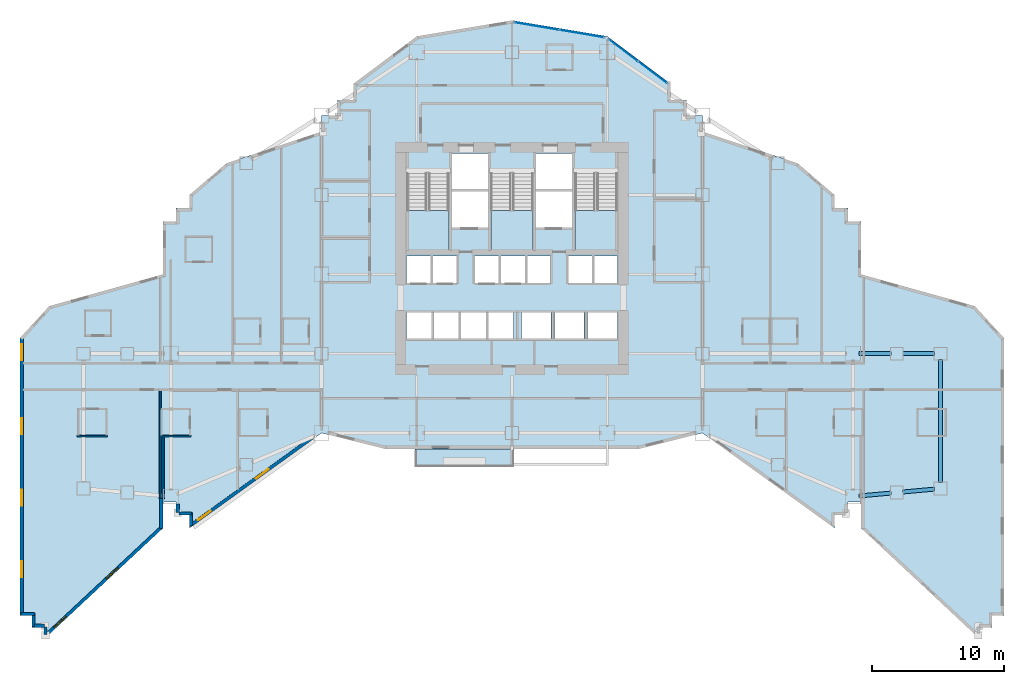
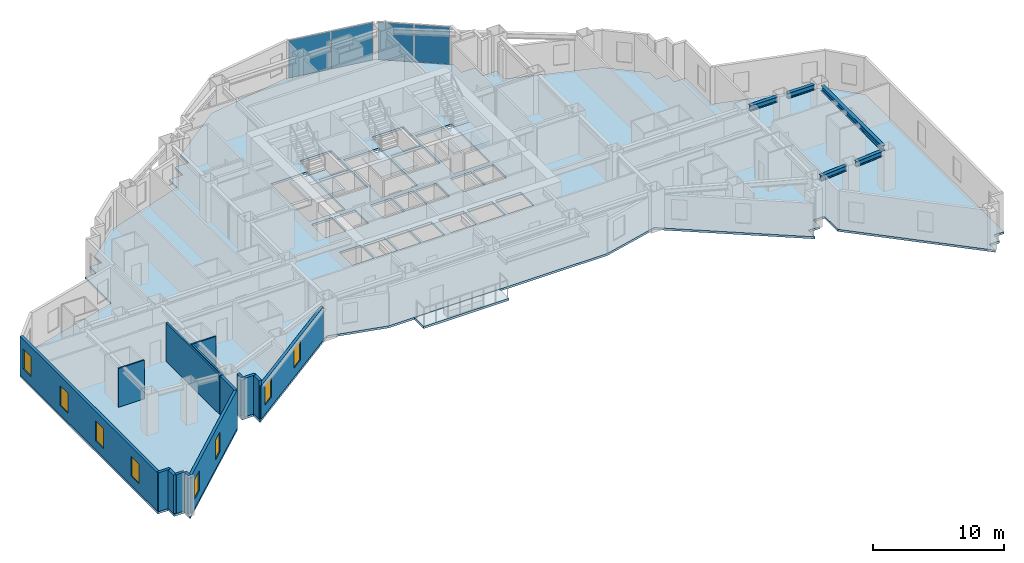
# One storey, part 6 of 15: 15 walls, 8 windows, 5 beams, 5 slabs, 4 plates, 8 openings, 5 elements without a shape of their own.
"""IFC4 building model written with IfcOpenShell, lengths in metres."""

import ifcopenshell
import ifcopenshell.guid

model = None  # the IFC model being written
_history = None  # IfcOwnerHistory: only IFC2X3 demands one
_inside = {}  # id of a spatial element -> (the spatial element, [elements in it])
_under = {}  # id of a project, library or spatial element -> (it, [spatial elements below it])
_declared = {}  # id of a project -> (the project, [libraries it declares])
_typed = {}  # id of a type object -> (the type object, [elements of that type])
_made_of = {}  # id of a material, layer set ... -> (it, [elements and type objects made of it])


def new_model(schema):
    """Start an empty IFC model of exactly this schema.

    Asked for "IFC4X3", IfcOpenShell would pick the latest addendum, in which some entities
    have other attributes; the version numbers below select the first issue.
    IFC2X3 requires an IfcOwnerHistory on every rooted entity: one is made here for all.
    """
    global model, _history
    if schema == "IFC4X3":
        model = ifcopenshell.file(schema_version=(4, 3, 0, 0))
    else:
        model = ifcopenshell.file(schema=schema)
    _inside.clear()
    _under.clear()
    _declared.clear()
    _typed.clear()
    _made_of.clear()
    _history = None
    if model.schema == "IFC2X3":
        org = make("IfcOrganization", Name="unknown")
        user = make(
            "IfcPersonAndOrganization",
            ThePerson=make("IfcPerson", FamilyName="unknown"),
            TheOrganization=org,
        )
        app = make(
            "IfcApplication",
            ApplicationDeveloper=org,
            Version="unknown",
            ApplicationFullName="unknown",
            ApplicationIdentifier="unknown",
        )
        _history = make(
            "IfcOwnerHistory",
            OwningUser=user,
            OwningApplication=app,
            ChangeAction="ADDED",
            CreationDate=0,
        )
    return model


def make(cls, **values):
    """One entity of the class cls with the attributes given. An attribute that is None is left unset."""
    return model.create_entity(
        cls, **{name: value for name, value in values.items() if value is not None}
    )


def rooted(cls, **values):
    """An entity with a GlobalId (a new one), such as an element, a storey or a relation."""
    return make(cls, GlobalId=ifcopenshell.guid.new(), OwnerHistory=_history, **values)


def si_unit(unit_type, name, prefix=None):
    """IfcSIUnit, for example si_unit("LENGTHUNIT", "METRE", prefix="MILLI")."""
    return make("IfcSIUnit", UnitType=unit_type, Prefix=prefix, Name=name)


def assignment(units):
    """IfcUnitAssignment: the units of a project."""
    return None if units is None else make("IfcUnitAssignment", Units=units)


def point(xyz):
    """IfcCartesianPoint."""
    return None if xyz is None else make("IfcCartesianPoint", Coordinates=xyz)


def direction(xyz):
    """IfcDirection."""
    return None if xyz is None else make("IfcDirection", DirectionRatios=xyz)


def frame(location, z_axis=None, x_axis=None):
    """IfcAxis2Placement3D, a coordinate frame: its origin and axes. An axis left out is left unset."""
    return make(
        "IfcAxis2Placement3D",
        Location=point(location),
        Axis=direction(z_axis),
        RefDirection=direction(x_axis),
    )


def frame_2d(location, x_axis=None):
    """IfcAxis2Placement2D, a coordinate frame in the plane: its origin and x axis."""
    return make(
        "IfcAxis2Placement2D", Location=point(location), RefDirection=direction(x_axis)
    )


def origin():
    """The frame at (0, 0, 0) with its axes left unset."""
    return frame((0.0, 0.0, 0.0))


def origin_2d():
    """The frame at (0, 0) in the plane with its x axis left unset."""
    return frame_2d((0.0, 0.0))


def place(relative_to, where):
    """IfcLocalPlacement: puts the frame where relative to a parent placement (None: the world)."""
    return make(
        "IfcLocalPlacement", PlacementRelTo=relative_to, RelativePlacement=where
    )


def context(
    kind, dimensions, precision=None, world=None, true_north=None, identifier=None
):
    """IfcGeometricRepresentationContext, for example the 3D "Model" context."""
    return make(
        "IfcGeometricRepresentationContext",
        ContextIdentifier=identifier,
        ContextType=kind,
        CoordinateSpaceDimension=dimensions,
        Precision=precision,
        WorldCoordinateSystem=world,
        TrueNorth=true_north,
    )


def subcontext(parent, identifier, kind, view, scale=None):
    """IfcGeometricRepresentationSubContext, for example "Body" below "Model"."""
    return make(
        "IfcGeometricRepresentationSubContext",
        ContextIdentifier=identifier,
        ContextType=kind,
        ParentContext=parent,
        TargetScale=scale,
        TargetView=view,
    )


def project(units=None, contexts=None):
    """IfcProject with its units and contexts."""
    return rooted(
        "IfcProject",
        Name="project",
        RepresentationContexts=contexts,
        UnitsInContext=assignment(units),
    )


def spatial(cls, under=None, at=None, **own):
    """A site, building, storey or space (cls), placed at a placement, below another one or the project."""
    s = rooted(cls, ObjectPlacement=at, **own)
    if under is not None:
        _under.setdefault(under.id(), (under, []))[1].append(s)
    return s


def polyline(points):
    """IfcPolyline through the points."""
    return make("IfcPolyline", Points=[point(p) for p in points])


def profile(cls, at=None, kind="AREA", **sizes):
    """A parametric profile (cls). Its sizes go by their IFC names, for example OverallWidth=200.0."""
    return make(cls, ProfileType=kind, Position=at, **sizes)


def rectangle(**sizes):
    """IfcRectangleProfileDef."""
    return profile("IfcRectangleProfileDef", **sizes)


def i_section(**sizes):
    """IfcIShapeProfileDef."""
    return profile("IfcIShapeProfileDef", **sizes)


def outline(outer, holes=None, kind="AREA"):
    """IfcArbitraryClosedProfileDef: a profile drawn as a closed curve; with holes, ...WithVoids."""
    if holes is None:
        return make("IfcArbitraryClosedProfileDef", ProfileType=kind, OuterCurve=outer)
    return make(
        "IfcArbitraryProfileDefWithVoids",
        ProfileType=kind,
        OuterCurve=outer,
        InnerCurves=holes,
    )


def extrude(swept, where, along, depth):
    """IfcExtrudedAreaSolid: the profile swept, set in the frame where, extruded along a direction by depth."""
    return make(
        "IfcExtrudedAreaSolid",
        SweptArea=swept,
        Position=where,
        ExtrudedDirection=direction(along),
        Depth=depth,
    )


def shape(context_of_items, identifier, shape_type, items):
    """IfcShapeRepresentation: the items that make up one representation, for example the "Body"."""
    return make(
        "IfcShapeRepresentation",
        ContextOfItems=context_of_items,
        RepresentationIdentifier=identifier,
        RepresentationType=shape_type,
        Items=items,
    )


def material(Name=None, Category=None):
    """IfcMaterial."""
    return make("IfcMaterial", Name=Name, Category=Category)


def layer(
    of_material, thickness, ventilated=None, Name=None, Category=None, Priority=None
):
    """IfcMaterialLayer: one layer of a wall or slab, of a material (None: an air gap)."""
    return make(
        "IfcMaterialLayer",
        Material=of_material,
        LayerThickness=thickness,
        IsVentilated=ventilated,
        Name=Name,
        Category=Category,
        Priority=Priority,
    )


def layer_set(layers, Name=None):
    """IfcMaterialLayerSet."""
    return make("IfcMaterialLayerSet", MaterialLayers=layers, LayerSetName=Name)


def material_profile(
    of_material, cross_section, Name=None, Category=None, Priority=None
):
    """IfcMaterialProfile: a cross section and its material."""
    return make(
        "IfcMaterialProfile",
        Name=Name,
        Material=of_material,
        Profile=cross_section,
        Priority=Priority,
        Category=Category,
    )


def profile_set(profiles, Name=None, composite=None):
    """IfcMaterialProfileSet."""
    return make(
        "IfcMaterialProfileSet",
        Name=Name,
        MaterialProfiles=profiles,
        CompositeProfile=composite,
    )


def made_of(thing, what):
    """Note that an element or type object is made of a material, layer set ...; save() writes the relation."""
    if what is not None:
        _made_of.setdefault(what.id(), (what, []))[1].append(thing)
    return thing


def type_object(cls, material=None, **own):
    """A type object (cls), such as IfcWallType, which elements share."""
    return made_of(rooted(cls, **own), material)


def element(
    cls,
    number,
    at=None,
    inside=None,
    cuts=None,
    type_object=None,
    material=None,
    context=None,
    identifier="Body",
    shape_type=None,
    held_by="IfcProductDefinitionShape",
    body=None,
    shapes=None,
    **own,
):
    """One element of the class cls, such as IfcWall. Its Tag is "e" and its number.

    at: its placement. inside: the storey or other place that contains it. cuts: it is an
    opening in that element (IfcRelVoidsElement). A single representation is given by context,
    identifier, shape_type and body (its items); several are given by shapes. held_by: the class
    of the entity that holds the representations. save() writes the other relations.
    """
    e = rooted(cls, Tag="e%d" % number, ObjectPlacement=at, **own)
    if body is not None:
        shapes = [shape(context, identifier, shape_type, body)]
    if shapes is not None:
        e.Representation = make(held_by, Representations=shapes)
    if inside is not None:
        _inside.setdefault(inside.id(), (inside, []))[1].append(e)
    if cuts is not None:
        rooted(
            "IfcRelVoidsElement", RelatingBuildingElement=cuts, RelatedOpeningElement=e
        )
    if type_object is not None:
        _typed.setdefault(type_object.id(), (type_object, []))[1].append(e)
    return made_of(e, material)


def fill(opening, filler):
    """IfcRelFillsElement: the door or window that sits in an opening."""
    return rooted(
        "IfcRelFillsElement",
        RelatingOpeningElement=opening,
        RelatedBuildingElement=filler,
    )


def aggregate(whole, parts):
    """IfcRelAggregates: a whole, such as a stair, and the parts it consists of."""
    return rooted("IfcRelAggregates", RelatingObject=whole, RelatedObjects=parts)


def save(model, path):
    """Write the relations noted so far, then the file.

    IfcRelAggregates (storeys below a building ...), IfcRelContainedInSpatialStructure (elements
    in a storey), IfcRelDefinesByType, IfcRelAssociatesMaterial and IfcRelDeclares: one each for
    every whole, place, type object, material and project.
    """
    for whole, parts in _under.values():
        aggregate(whole, parts)
    for where, things in _inside.values():
        rooted(
            "IfcRelContainedInSpatialStructure",
            RelatedElements=things,
            RelatingStructure=where,
        )
    for kind, things in _typed.values():
        rooted("IfcRelDefinesByType", RelatedObjects=things, RelatingType=kind)
    for what, things in _made_of.values():
        rooted("IfcRelAssociatesMaterial", RelatedObjects=things, RelatingMaterial=what)
    for by, libraries in _declared.values():
        rooted("IfcRelDeclares", RelatingContext=by, RelatedDefinitions=libraries)
    model.write(path)


model = new_model("IFC4")

# Units and contexts
model_context = context("Model", 3, precision=1e-05, world=origin(), true_north=direction((0.0, 1.0)))
body_context = subcontext(model_context, "Body", "Model", "MODEL_VIEW")
ifc_project = project(units=[si_unit("LENGTHUNIT", "METRE"), si_unit("AREAUNIT", "SQUARE_METRE"), si_unit("VOLUMEUNIT", "CUBIC_METRE"), si_unit("PLANEANGLEUNIT", "RADIAN"), si_unit("MASSUNIT", "GRAM", prefix="KILO")], contexts=[model_context])

# Site, building, storey
site_placement = place(None, origin())
site = spatial("IfcSite", under=ifc_project, at=site_placement, CompositionType="ELEMENT")
building_placement = place(site_placement, origin())
building = spatial("IfcBuilding", under=site, at=building_placement, Name="Haolan Belvedere Tower", CompositionType="ELEMENT")
storey_placement = place(building_placement, frame((0.0, 0.0, 66.60009765625)))
storey = spatial("IfcBuildingStorey", under=building, at=storey_placement, Name="L16", CompositionType="ELEMENT", Elevation=66.60009765625)

# Beams
ifc_material_1 = material(Name="Steel Q355B", Category="steel")
ifc_material_profile = material_profile(ifc_material_1, i_section(OverallWidth=0.300048828125, OverallDepth=0.488037109375, WebThickness=0.010986328125, FlangeThickness=0.01806640625, FilletRadius=0.02587890625, at=origin_2d()), Name="Steel Q355B")
ifc_profile_set = profile_set([ifc_material_profile], Name="Steel Q355B")
beam_type = type_object("IfcBeamType", Name="BM-HM488x300x11x18", PredefinedType="SPANDREL", material=ifc_profile_set)
beam_placement = place(storey_placement, frame((70.800048828125, 17.85009765625, 3.35595703125), z_axis=(0.0, 1.0, 0.0), x_axis=(-1.0, 0.0, 0.0)))
element("IfcBeam", 1, at=beam_placement, inside=storey, type_object=beam_type, Name="L16 spandrel girder MC-T5-SE-MC-T5-NE", PredefinedType="SPANDREL", context=body_context, shape_type="SweptSolid", body=[
    extrude(i_section(OverallWidth=0.300048828125, OverallDepth=0.488037109375, WebThickness=0.010986328125, FlangeThickness=0.01806640625, FilletRadius=0.02587890625, at=origin_2d()), origin(), (0.0, 0.0, 1.0), 9.2998046875),
])
for number, where, z_axis, x_axis, name in (
    (2, (64.648193359375, 16.8408203125, 3.35595703125), (0.995893206468, 0.090535746043, 0.0), (-0.090535746043, 0.995893206468, 0.0), "L16 spandrel girder MC-T4-SE-TC-T5-M1"),
    (3, (67.9482421875, 17.140625, 3.35595703125), (0.995884080761, 0.090636072764, 0.0), (-0.090636072764, 0.995884080761, 0.0), "L16 spandrel girder TC-T5-M1-MC-T5-SE"),
):
    element("IfcBeam", number, at=place(storey_placement, frame(where, z_axis=z_axis, x_axis=x_axis)), inside=storey, type_object=beam_type, Name=name, PredefinedType="SPANDREL", context=body_context, shape_type="SweptSolid", body=[
        extrude(i_section(OverallWidth=0.300048828125, OverallDepth=0.488037109375, WebThickness=0.010986328125, FlangeThickness=0.01806640625, FilletRadius=0.02587890625, at=origin_2d()), origin(), (0.0, 0.0, 1.0), 2.41357421875),
    ])
for number, where, z_axis, x_axis, name in (
    (4, (64.64990234375, 27.60009765625, 3.35595703125), (1.0, 0.0, 0.0), (0.0, 1.0, 0.0), "L16 spandrel girder MC-T4-ME-TC-T5-M2"),
    (5, (67.949951171875, 27.60009765625, 3.35595703125), (1.0, 0.0, 0.0), (0.0, 1.0, 0.0), "L16 spandrel girder TC-T5-M2-MC-T5-NE"),
):
    element("IfcBeam", number, at=place(storey_placement, frame(where, z_axis=z_axis, x_axis=x_axis)), inside=storey, type_object=beam_type, Name=name, PredefinedType="SPANDREL", context=body_context, shape_type="SweptSolid", body=[
        extrude(i_section(OverallWidth=0.300048828125, OverallDepth=0.488037109375, WebThickness=0.010986328125, FlangeThickness=0.01806640625, FilletRadius=0.02587890625, at=origin_2d()), origin(), (0.0, 0.0, 1.0), 2.400146484375),
    ])

# Curtain wall, plates
ifc_material_2 = material(Name="Anodised champagne-silver aluminium 6063-T6 and Low-E glass", Category="aluminium")
ifc_layer_1 = layer(ifc_material_2, 0.1650390625, Name="Anodised champagne-silver aluminium 6063-T6 and Low-E glass")
ifc_layer_set_1 = layer_set([ifc_layer_1], Name="Anodised champagne-silver aluminium 6063-T6 and Low-E glass")
curtain_wall_type = type_object("IfcCurtainWallType", Name="CW-SYS-02", PredefinedType="NOTDEFINED", material=ifc_layer_set_1)
curtain_wall_1_placement = place(storey_placement, origin())
curtain_wall_1 = element("IfcCurtainWall", 6, at=curtain_wall_1_placement, inside=storey, type_object=curtain_wall_type, Name="L16 CW-SYS-02 ribbon curtain wall 41.1", PredefinedType="NOTDEFINED")
ifc_material_3 = material(Name="Double silver Low-E laminated insulating glass", Category="glass")
ifc_layer_2 = layer(ifc_material_3, 0.02587890625, Name="Double silver Low-E laminated insulating glass")
ifc_layer_set_2 = layer_set([ifc_layer_2], Name="Double silver Low-E laminated insulating glass")
plate_type = type_object("IfcPlateType", Name="CW-SYS-02-PNL", PredefinedType="CURTAIN_PANEL", material=ifc_layer_set_2)
plate_1_placement = place(storey_placement, frame((49.02978515625, 48.877685546875, 0.0546875), z_axis=(0.0, 0.0, 1.0), x_axis=(-0.800004262313, 0.599994316874, 0.0)))
plate_1 = element("IfcPlate", 7, at=plate_1_placement, type_object=plate_type, Name="CW-02 panel 1.1", PredefinedType="CURTAIN_PANEL", context=body_context, shape_type="SweptSolid", body=[
    extrude(rectangle(XDim=2.725341796875, YDim=0.02587890625, at=origin_2d()), origin(), (0.0, 0.0, 1.0), 3.489990234375),
])
plate_2_placement = place(storey_placement, frame((46.801513671875, 50.548828125, 0.0546875), z_axis=(0.0, 0.0, 1.0), x_axis=(-0.800004262313, 0.599994316874, 0.0)))
plate_2 = element("IfcPlate", 8, at=plate_2_placement, type_object=plate_type, Name="CW-02 panel 2.1", PredefinedType="CURTAIN_PANEL", context=body_context, shape_type="SweptSolid", body=[
    extrude(rectangle(XDim=2.725341796875, YDim=0.02587890625, at=origin_2d()), origin(), (0.0, 0.0, 1.0), 3.489990234375),
])
aggregate(curtain_wall_1, [plate_1, plate_2])

curtain_wall_2_placement = place(storey_placement, origin())
curtain_wall_2 = element("IfcCurtainWall", 9, at=curtain_wall_2_placement, inside=storey, type_object=curtain_wall_type, Name="L16 CW-SYS-02 ribbon curtain wall 42.1", PredefinedType="NOTDEFINED")
plate_3_placement = place(storey_placement, frame((43.6796875, 51.79833984375, 0.0546875), z_axis=(0.0, 0.0, 1.0), x_axis=(-0.9863931483, 0.16440364043, 0.0)))
plate_3 = element("IfcPlate", 10, at=plate_3_placement, type_object=plate_type, Name="CW-02 panel 1.1", PredefinedType="CURTAIN_PANEL", context=body_context, shape_type="SweptSolid", body=[
    extrude(rectangle(XDim=3.39501953125, YDim=0.02587890625, at=origin_2d()), origin(), (0.0, 0.0, 1.0), 3.489990234375),
])
plate_4_placement = place(storey_placement, frame((40.271728515625, 52.366455078125, 0.0546875), z_axis=(0.0, 0.0, 1.0), x_axis=(-0.9863931483, 0.16440364043, 0.0)))
plate_4 = element("IfcPlate", 11, at=plate_4_placement, type_object=plate_type, Name="CW-02 panel 2.1", PredefinedType="CURTAIN_PANEL", context=body_context, shape_type="SweptSolid", body=[
    extrude(rectangle(XDim=3.39501953125, YDim=0.02587890625, at=origin_2d()), origin(), (0.0, 0.0, 1.0), 3.489990234375),
])
aggregate(curtain_wall_2, [plate_3, plate_4])

# Slabs
ifc_material_4 = material(Name="Concrete C40/50", Category="concrete")
ifc_layer_3 = layer(ifc_material_4, 0.2099609375, Name="Concrete C40/50")
ifc_layer_set_3 = layer_set([ifc_layer_3], Name="Concrete C40/50")
slab_type_1 = type_object("IfcSlabType", Name="SL-BAL-210", PredefinedType="FLOOR", material=ifc_layer_set_3)
slab_1_placement = place(storey_placement, frame((0.0, 0.0, -0.22998046875)))
element("IfcSlab", 12, at=slab_1_placement, inside=storey, type_object=slab_type_1, Name="L16 structural tree-planter balcony slab BAL-L16-S1", PredefinedType="FLOOR", context=body_context, shape_type="SweptSolid", body=[
    extrude(outline(polyline([(31.050048828125, 19.02001953125), (38.550048828125, 19.02001953125), (38.550048828125, 20.39990234375), (31.050048828125, 20.39990234375), (31.050048828125, 19.02001953125)])), origin(), (0.0, 0.0, 1.0), 0.2099609375),
])
ifc_layer_4 = layer(ifc_material_4, 0.199951171875, Name="Concrete C40/50")
ifc_layer_set_4 = layer_set([ifc_layer_4], Name="Concrete C40/50")
slab_type_2 = type_object("IfcSlabType", Name="SL-FLR-200", PredefinedType="FLOOR", material=ifc_layer_set_4)
slab_2_placement = place(storey_placement, frame((0.0, 0.0, -0.2001953125)))
element("IfcSlab", 13, at=slab_2_placement, inside=storey, type_object=slab_type_2, Name="L16 structural floor slab", PredefinedType="FLOOR", context=body_context, shape_type="SweptSolid", body=[
    extrude(outline(polyline([(1.199951171875, 28.800048828125), (1.199951171875, 8.39990234375), (1.199951171875, 7.800048828125), (2.10009765625, 7.800048828125), (2.10009765625, 6.89990234375), (3.0, 6.89990234375), (3.0, 6.0), (12.0, 14.39990234375), (12.0, 16.39990234375), (13.0, 16.39990234375), (13.0, 15.39990234375), (14.0, 15.39990234375), (14.0, 14.39990234375), (24.0, 21.60009765625), (28.800048828125, 20.39990234375), (48.0, 20.39990234375), (52.800048828125, 21.60009765625), (62.800048828125, 14.39990234375), (62.800048828125, 15.39990234375), (63.800048828125, 15.39990234375), (63.800048828125, 16.39990234375), (64.800048828125, 16.39990234375), (64.800048828125, 14.39990234375), (73.800048828125, 6.0), (73.800048828125, 6.89990234375), (74.699951171875, 6.89990234375), (74.699951171875, 7.800048828125), (75.60009765625, 7.800048828125), (75.60009765625, 28.800048828125), (73.39990234375, 31.199951171875), (64.800048828125, 33.60009765625), (64.800048828125, 37.60009765625), (63.800048828125, 37.60009765625), (63.800048828125, 38.60009765625), (62.800048828125, 38.60009765625), (62.800048828125, 39.60009765625), (60.0, 42.0), (52.800048828125, 44.39990234375), (52.800048828125, 45.60009765625), (51.60009765625, 45.60009765625), (51.60009765625, 46.800048828125), (50.39990234375, 46.800048828125), (50.39990234375, 48.0), (45.60009765625, 51.60009765625), (38.39990234375, 52.800048828125), (31.199951171875, 51.60009765625), (26.39990234375, 48.0), (26.39990234375, 46.800048828125), (25.199951171875, 46.800048828125), (25.199951171875, 45.60009765625), (24.0, 45.60009765625), (24.0, 44.39990234375), (16.800048828125, 42.0), (14.0, 39.60009765625), (14.0, 38.60009765625), (13.0, 38.60009765625), (13.0, 37.60009765625), (12.0, 37.60009765625), (12.0, 33.60009765625), (3.39990234375, 31.199951171875), (1.199951171875, 28.800048828125)]), holes=[polyline([(30.449951171875, 41.22998046875), (30.449951171875, 35.449951171875), (33.6298828125, 35.449951171875), (33.6298828125, 41.22998046875), (30.449951171875, 41.22998046875)]), polyline([(36.81005859375, 41.22998046875), (36.81005859375, 35.449951171875), (39.989990234375, 35.449951171875), (39.989990234375, 41.22998046875), (36.81005859375, 41.22998046875)]), polyline([(43.169921875, 41.22998046875), (43.169921875, 35.449951171875), (46.35009765625, 35.449951171875), (46.35009765625, 41.22998046875), (43.169921875, 41.22998046875)]), polyline([(33.830078125, 40.050048828125), (36.610107421875, 40.050048828125), (36.610107421875, 42.75), (33.830078125, 42.75), (33.830078125, 40.050048828125)]), polyline([(33.830078125, 37.14990234375), (36.610107421875, 37.14990234375), (36.610107421875, 39.85009765625), (33.830078125, 39.85009765625), (33.830078125, 37.14990234375)]), polyline([(40.18994140625, 40.050048828125), (42.969970703125, 40.050048828125), (42.969970703125, 42.75), (40.18994140625, 42.75), (40.18994140625, 40.050048828125)]), polyline([(40.18994140625, 37.14990234375), (42.969970703125, 37.14990234375), (42.969970703125, 39.85009765625), (40.18994140625, 39.85009765625), (40.18994140625, 37.14990234375)]), polyline([(30.419921875, 32.949951171875), (32.27001953125, 32.949951171875), (32.27001953125, 35.0), (30.419921875, 35.0), (30.419921875, 32.949951171875)]), polyline([(32.409912109375, 32.949951171875), (34.260009765625, 32.949951171875), (34.260009765625, 35.0), (32.409912109375, 35.0), (32.409912109375, 32.949951171875)]), polyline([(35.56005859375, 32.949951171875), (37.409912109375, 32.949951171875), (37.409912109375, 35.0), (35.56005859375, 35.0), (35.56005859375, 32.949951171875)]), polyline([(37.550048828125, 32.949951171875), (39.39990234375, 32.949951171875), (39.39990234375, 35.0), (37.550048828125, 35.0), (37.550048828125, 32.949951171875)]), polyline([(39.5400390625, 32.949951171875), (41.389892578125, 32.949951171875), (41.389892578125, 35.0), (39.5400390625, 35.0), (39.5400390625, 32.949951171875)]), polyline([(42.6201171875, 32.949951171875), (44.469970703125, 32.949951171875), (44.469970703125, 35.0), (42.6201171875, 35.0), (42.6201171875, 32.949951171875)]), polyline([(44.580078125, 32.949951171875), (46.3798828125, 32.949951171875), (46.3798828125, 35.0), (44.580078125, 35.0), (44.580078125, 32.949951171875)]), polyline([(30.419921875, 28.75), (32.320068359375, 28.75), (32.320068359375, 30.75), (30.419921875, 30.75), (30.419921875, 28.75)]), polyline([(32.47998046875, 28.75), (34.3798828125, 28.75), (34.3798828125, 30.75), (32.47998046875, 30.75), (32.47998046875, 28.75)]), polyline([(34.5400390625, 28.75), (36.43994140625, 28.75), (36.43994140625, 30.75), (34.5400390625, 30.75), (34.5400390625, 28.75)]), polyline([(36.60009765625, 28.75), (38.5, 28.75), (38.5, 30.75), (36.60009765625, 30.75), (36.60009765625, 28.75)]), polyline([(39.10009765625, 28.75), (41.340087890625, 28.75), (41.340087890625, 30.75), (39.10009765625, 30.75), (39.10009765625, 28.75)]), polyline([(41.610107421875, 28.75), (43.85009765625, 28.75), (43.85009765625, 30.75), (41.610107421875, 30.75), (41.610107421875, 28.75)]), polyline([(44.1201171875, 28.75), (46.360107421875, 28.75), (46.360107421875, 30.75), (44.1201171875, 30.75), (44.1201171875, 28.75)])]), origin(), (0.0, 0.0, 1.0), 0.2001953125),
])

# Stair, slab
stair_type = type_object("IfcStairType", Name="STR-DL-22R-173", PredefinedType="HALF_TURN_STAIR", material=ifc_material_4)
stair_1_placement = place(storey_placement, origin())
stair_1 = element("IfcStair", 14, at=stair_1_placement, inside=storey, type_object=stair_type, Name="L16 Smokeproof Core Exit Stair ST1", PredefinedType="HALF_TURN_STAIR")
ifc_layer_5 = layer(ifc_material_4, 0.199951171875, Name="Concrete C40/50")
ifc_layer_set_5 = layer_set([ifc_layer_5], Name="Concrete C40/50")
slab_type_3 = type_object("IfcSlabType", Name="SL-LAND-200", PredefinedType="LANDING", material=ifc_layer_set_5)
slab_3_placement = place(storey_placement, frame((0.0, 0.0, 1.699951171875)))
slab_3 = element("IfcSlab", 15, at=slab_3_placement, type_object=slab_type_3, Name="ST1 landing 1", PredefinedType="LANDING", context=body_context, shape_type="SweptSolid", body=[
    extrude(outline(polyline([(30.449951171875, 38.429931640625), (30.449951171875, 35.449951171875), (33.6298828125, 35.449951171875), (33.6298828125, 38.429931640625), (30.449951171875, 38.429931640625)])), origin(), (0.0, 0.0, 1.0), 0.199951171875),
])
aggregate(stair_1, [slab_3])

stair_2_placement = place(storey_placement, origin())
stair_2 = element("IfcStair", 16, at=stair_2_placement, inside=storey, type_object=stair_type, Name="L16 Smokeproof Core Exit Stair ST3", PredefinedType="HALF_TURN_STAIR")
slab_4_placement = place(storey_placement, frame((0.0, 0.0, 1.699951171875)))
slab_4 = element("IfcSlab", 17, at=slab_4_placement, type_object=slab_type_3, Name="ST3 landing 1", PredefinedType="LANDING", context=body_context, shape_type="SweptSolid", body=[
    extrude(outline(polyline([(36.81005859375, 38.429931640625), (36.81005859375, 35.449951171875), (39.989990234375, 35.449951171875), (39.989990234375, 38.429931640625), (36.81005859375, 38.429931640625)])), origin(), (0.0, 0.0, 1.0), 0.199951171875),
])
aggregate(stair_2, [slab_4])

stair_3_placement = place(storey_placement, origin())
stair_3 = element("IfcStair", 18, at=stair_3_placement, inside=storey, type_object=stair_type, Name="L16 Smokeproof Core Exit Stair ST2", PredefinedType="HALF_TURN_STAIR")
slab_5_placement = place(storey_placement, frame((0.0, 0.0, 1.699951171875)))
slab_5 = element("IfcSlab", 19, at=slab_5_placement, type_object=slab_type_3, Name="ST2 landing 1", PredefinedType="LANDING", context=body_context, shape_type="SweptSolid", body=[
    extrude(outline(polyline([(43.169921875, 38.429931640625), (43.169921875, 35.449951171875), (46.35009765625, 35.449951171875), (46.35009765625, 38.429931640625), (43.169921875, 38.429931640625)])), origin(), (0.0, 0.0, 1.0), 0.199951171875),
])
aggregate(stair_3, [slab_5])

# Walls
ifc_material_5 = material(Name="Precast concrete C40/50", Category="concrete")
ifc_layer_6 = layer(ifc_material_5, 0.239990234375, Name="Precast concrete C40/50")
ifc_layer_set_6 = layer_set([ifc_layer_6], Name="Precast concrete C40/50")
wall_type_1 = type_object("IfcWallType", Name="WL-EXT-240", PredefinedType="SOLIDWALL", material=ifc_layer_set_6)
for number, where, z_axis, x_axis, name in (
    (20, (1.264892578125, 7.919921875, 0.0), (0.0, 0.0, 1.0), (1.0, 0.0, 0.0), "L16 pale-metal exterior spandrel wall 1.1"),
    (21, (2.219970703125, 7.97509765625, 0.0), (0.0, 0.0, 1.0), (0.0, -1.0, 0.0), "L16 pale-metal exterior spandrel wall 2.1"),
):
    element("IfcWall", number, at=place(storey_placement, frame(where, z_axis=z_axis, x_axis=x_axis)), inside=storey, type_object=wall_type_1, Name=name, PredefinedType="SOLIDWALL", context=body_context, shape_type="SweptSolid", body=[
        extrude(rectangle(XDim=1.010009765625, YDim=0.239990234375, at=frame_2d((0.5048828125, 0.0))), origin(), (0.0, 0.0, 1.0), 3.599853515625),
    ])
wall_1_placement = place(storey_placement, frame((2.300048828125, 7.02001953125, 0.0), z_axis=(0.0, 0.0, 1.0), x_axis=(1.0, 0.0, 0.0)))
element("IfcWall", 22, at=wall_1_placement, inside=storey, type_object=wall_type_1, Name="L16 pale-metal exterior spandrel wall 3.1", PredefinedType="SOLIDWALL", context=body_context, shape_type="SweptSolid", body=[
    extrude(rectangle(XDim=0.73486328125, YDim=0.239990234375, at=frame_2d((0.367431640625, 0.0))), origin(), (0.0, 0.0, 1.0), 3.599853515625),
])
wall_2_placement = place(storey_placement, frame((3.1201171875, 6.93505859375, 0.0), z_axis=(0.0, 0.0, 1.0), x_axis=(0.0, -1.0, 0.0)))
element("IfcWall", 23, at=wall_2_placement, inside=storey, type_object=wall_type_1, Name="L16 pale-metal exterior spandrel wall 4.1", PredefinedType="SOLIDWALL", context=body_context, shape_type="SweptSolid", body=[
    extrude(rectangle(XDim=0.573974609375, YDim=0.239990234375, at=frame_2d((0.287109375, 0.0))), origin(), (0.0, 0.0, 1.0), 3.599853515625),
])

# Wall, openings, windows
wall_3_placement = place(storey_placement, frame((3.269775390625, 6.416015625, 0.0), z_axis=(0.0, 0.0, 1.0), x_axis=(0.731064187858, 0.682308693505, 0.0)))
wall_3 = element("IfcWall", 24, at=wall_3_placement, inside=storey, type_object=wall_type_1, Name="L16 pale-metal exterior spandrel wall 5.1", PredefinedType="SOLIDWALL", context=body_context, shape_type="SweptSolid", body=[
    extrude(rectangle(XDim=11.83251953125, YDim=0.239990234375, at=frame_2d((5.916259765625, 0.0))), origin(), (0.0, 0.0, 1.0), 3.599853515625),
])
opening_1_placement = place(wall_3_placement, frame((0.699951171875, 0.0, 0.85009765625)))
opening_1 = element("IfcOpeningElement", 25, at=opening_1_placement, cuts=wall_3, Name="Opening W-01", PredefinedType="OPENING", context=body_context, shape_type="SweptSolid", body=[
    extrude(rectangle(XDim=1.199951171875, YDim=1.85009765625, at=frame_2d((0.60009765625, 0.925048828125))), frame((0.0, 0.1298828125, 0.0), z_axis=(0.0, -1.0, 0.0), x_axis=(1.0, 0.0, 0.0)), (0.0, 0.0, 1.0), 0.260009765625),
])
opening_2_placement = place(wall_3_placement, frame((6.10009765625, 0.0, 0.85009765625)))
opening_2 = element("IfcOpeningElement", 26, at=opening_2_placement, cuts=wall_3, Name="Opening W-01", PredefinedType="OPENING", context=body_context, shape_type="SweptSolid", body=[
    extrude(rectangle(XDim=1.199951171875, YDim=1.85009765625, at=frame_2d((0.60009765625, 0.925048828125))), frame((0.0, 0.1298828125, 0.0), z_axis=(0.0, -1.0, 0.0), x_axis=(1.0, 0.0, 0.0)), (0.0, 0.0, 1.0), 0.260009765625),
])
ifc_material_6 = material(Name="Anodised aluminium 6063-T6 and Low-E glass", Category="aluminium")
window_type = type_object("IfcWindowType", Name="WN-DECO-Z1", PartitioningType="SINGLE_PANEL", PredefinedType="WINDOW", material=ifc_material_6)
window_1_placement = place(opening_1_placement, origin())
window_1 = element("IfcWindow", 27, at=window_1_placement, inside=storey, type_object=window_type, Name="L16 Art Deco chevron window 1", OverallHeight=1.85009765625, OverallWidth=1.199951171875, PartitioningType="SINGLE_PANEL", PredefinedType="WINDOW", context=body_context, shape_type="SweptSolid", body=[
    extrude(rectangle(XDim=1.199951171875, YDim=1.85009765625, at=frame_2d((0.60009765625, 0.925048828125))), frame((0.0, 0.030029296875, 0.0), z_axis=(0.0, -1.0, 0.0), x_axis=(1.0, 0.0, 0.0)), (0.0, 0.0, 1.0), 0.06005859375),
])
fill(opening_1, window_1)
window_2_placement = place(opening_2_placement, origin())
window_2 = element("IfcWindow", 28, at=window_2_placement, inside=storey, type_object=window_type, Name="L16 Art Deco chevron window 2", OverallHeight=1.85009765625, OverallWidth=1.199951171875, PartitioningType="SINGLE_PANEL", PredefinedType="WINDOW", context=body_context, shape_type="SweptSolid", body=[
    extrude(rectangle(XDim=1.199951171875, YDim=1.85009765625, at=frame_2d((0.60009765625, 0.925048828125))), frame((0.0, 0.030029296875, 0.0), z_axis=(0.0, -1.0, 0.0), x_axis=(1.0, 0.0, 0.0)), (0.0, 0.0, 1.0), 0.06005859375),
])
fill(opening_2, window_2)

# Walls
wall_4_placement = place(storey_placement, frame((11.8798828125, 14.397216796875, 0.0), z_axis=(0.0, 0.0, 1.0), x_axis=(0.0, 1.0, 0.0)))
element("IfcWall", 29, at=wall_4_placement, inside=storey, type_object=wall_type_1, Name="L16 pale-metal exterior spandrel wall 6.1", PredefinedType="SOLIDWALL", context=body_context, shape_type="SweptSolid", body=[
    extrude(rectangle(XDim=2.24267578125, YDim=0.239990234375, at=frame_2d((1.121337890625, 0.0))), origin(), (0.0, 0.0, 1.0), 3.599853515625),
])
wall_5_placement = place(storey_placement, frame((13.1201171875, 16.23291015625, 0.0), z_axis=(0.0, 0.0, 1.0), x_axis=(0.0, -1.0, 0.0)))
element("IfcWall", 30, at=wall_5_placement, inside=storey, type_object=wall_type_1, Name="L16 pale-metal exterior spandrel wall 8.1", PredefinedType="SOLIDWALL", context=body_context, shape_type="SweptSolid", body=[
    extrude(rectangle(XDim=0.6279296875, YDim=0.239990234375, at=frame_2d((0.31396484375, 0.0))), origin(), (0.0, 0.0, 1.0), 3.599853515625),
])
wall_6_placement = place(storey_placement, frame((13.205078125, 15.52001953125, 0.0), z_axis=(0.0, 0.0, 1.0), x_axis=(1.0, 0.0, 0.0)))
element("IfcWall", 31, at=wall_6_placement, inside=storey, type_object=wall_type_1, Name="L16 pale-metal exterior spandrel wall 9.1", PredefinedType="SOLIDWALL", context=body_context, shape_type="SweptSolid", body=[
    extrude(rectangle(XDim=0.969970703125, YDim=0.239990234375, at=frame_2d((0.48486328125, 0.0))), origin(), (0.0, 0.0, 1.0), 3.599853515625),
])
wall_7_placement = place(storey_placement, frame((14.1201171875, 15.574951171875, 0.0), z_axis=(0.0, 0.0, 1.0), x_axis=(0.0, -1.0, 0.0)))
element("IfcWall", 32, at=wall_7_placement, inside=storey, type_object=wall_type_1, Name="L16 pale-metal exterior spandrel wall 10.1", PredefinedType="SOLIDWALL", context=body_context, shape_type="SweptSolid", body=[
    extrude(rectangle(XDim=0.99560546875, YDim=0.239990234375, at=frame_2d((0.497802734375, 0.0))), origin(), (0.0, 0.0, 1.0), 3.599853515625),
])

# Wall, openings, windows
wall_8_placement = place(storey_placement, frame((14.075439453125, 14.602294921875, 0.0), z_axis=(0.0, 0.0, 1.0), x_axis=(0.811543176492, 0.58429245476, 0.0)))
wall_8 = element("IfcWall", 33, at=wall_8_placement, inside=storey, type_object=wall_type_1, Name="L16 pale-metal exterior spandrel wall 11.1", PredefinedType="SOLIDWALL", context=body_context, shape_type="SweptSolid", body=[
    extrude(rectangle(XDim=11.53076171875, YDim=0.239990234375, at=frame_2d((5.765380859375, 0.0))), origin(), (0.0, 0.0, 1.0), 3.096923828125),
])
opening_3_placement = place(wall_8_placement, frame((0.699951171875, 0.0, 0.85009765625)))
opening_3 = element("IfcOpeningElement", 34, at=opening_3_placement, cuts=wall_8, Name="Opening W-01", PredefinedType="OPENING", context=body_context, shape_type="SweptSolid", body=[
    extrude(rectangle(XDim=1.199951171875, YDim=1.85009765625, at=frame_2d((0.60009765625, 0.925048828125))), frame((0.0, 0.1298828125, 0.0), z_axis=(0.0, -1.0, 0.0), x_axis=(1.0, 0.0, 0.0)), (0.0, 0.0, 1.0), 0.260009765625),
])
opening_4_placement = place(wall_8_placement, frame((6.10009765625, 0.0, 0.85009765625)))
opening_4 = element("IfcOpeningElement", 35, at=opening_4_placement, cuts=wall_8, Name="Opening W-01", PredefinedType="OPENING", context=body_context, shape_type="SweptSolid", body=[
    extrude(rectangle(XDim=1.199951171875, YDim=1.85009765625, at=frame_2d((0.60009765625, 0.925048828125))), frame((0.0, 0.1298828125, 0.0), z_axis=(0.0, -1.0, 0.0), x_axis=(1.0, 0.0, 0.0)), (0.0, 0.0, 1.0), 0.260009765625),
])
window_3_placement = place(opening_3_placement, origin())
window_3 = element("IfcWindow", 36, at=window_3_placement, inside=storey, type_object=window_type, Name="L16 Art Deco chevron window 1", OverallHeight=1.85009765625, OverallWidth=1.199951171875, PartitioningType="SINGLE_PANEL", PredefinedType="WINDOW", context=body_context, shape_type="SweptSolid", body=[
    extrude(rectangle(XDim=1.199951171875, YDim=1.85009765625, at=frame_2d((0.60009765625, 0.925048828125))), frame((0.0, 0.030029296875, 0.0), z_axis=(0.0, -1.0, 0.0), x_axis=(1.0, 0.0, 0.0)), (0.0, 0.0, 1.0), 0.06005859375),
])
fill(opening_3, window_3)
window_4_placement = place(opening_4_placement, origin())
window_4 = element("IfcWindow", 37, at=window_4_placement, inside=storey, type_object=window_type, Name="L16 Art Deco chevron window 2", OverallHeight=1.85009765625, OverallWidth=1.199951171875, PartitioningType="SINGLE_PANEL", PredefinedType="WINDOW", context=body_context, shape_type="SweptSolid", body=[
    extrude(rectangle(XDim=1.199951171875, YDim=1.85009765625, at=frame_2d((0.60009765625, 0.925048828125))), frame((0.0, 0.030029296875, 0.0), z_axis=(0.0, -1.0, 0.0), x_axis=(1.0, 0.0, 0.0)), (0.0, 0.0, 1.0), 0.06005859375),
])
fill(opening_4, window_4)

wall_9_placement = place(storey_placement, frame((1.320068359375, 28.808349609375, 0.0), z_axis=(0.0, 0.0, 1.0), x_axis=(0.0, -1.0, 0.0)))
wall_9 = element("IfcWall", 38, at=wall_9_placement, inside=storey, type_object=wall_type_1, Name="L16 pale-metal exterior spandrel wall 59.1", PredefinedType="SOLIDWALL", context=body_context, shape_type="SweptSolid", body=[
    extrude(rectangle(XDim=20.943359375, YDim=0.239990234375, at=frame_2d((10.4716796875, 0.0))), origin(), (0.0, 0.0, 1.0), 3.599853515625),
])
opening_5_placement = place(wall_9_placement, frame((0.493408203125, 0.0, 0.85009765625)))
opening_5 = element("IfcOpeningElement", 39, at=opening_5_placement, cuts=wall_9, Name="Opening W-01", PredefinedType="OPENING", context=body_context, shape_type="SweptSolid", body=[
    extrude(rectangle(XDim=1.199951171875, YDim=1.85009765625, at=frame_2d((0.60009765625, 0.925048828125))), frame((0.0, 0.1298828125, 0.0), z_axis=(0.0, -1.0, 0.0), x_axis=(1.0, 0.0, 0.0)), (0.0, 0.0, 1.0), 0.260009765625),
])
opening_6_placement = place(wall_9_placement, frame((6.10009765625, 0.0, 0.85009765625)))
opening_6 = element("IfcOpeningElement", 40, at=opening_6_placement, cuts=wall_9, Name="Opening W-01", PredefinedType="OPENING", context=body_context, shape_type="SweptSolid", body=[
    extrude(rectangle(XDim=1.199951171875, YDim=1.85009765625, at=frame_2d((0.60009765625, 0.925048828125))), frame((0.0, 0.1298828125, 0.0), z_axis=(0.0, -1.0, 0.0), x_axis=(1.0, 0.0, 0.0)), (0.0, 0.0, 1.0), 0.260009765625),
])
opening_7_placement = place(wall_9_placement, frame((11.5, 0.0, 0.85009765625)))
opening_7 = element("IfcOpeningElement", 41, at=opening_7_placement, cuts=wall_9, Name="Opening W-01", PredefinedType="OPENING", context=body_context, shape_type="SweptSolid", body=[
    extrude(rectangle(XDim=1.199951171875, YDim=1.85009765625, at=frame_2d((0.60009765625, 0.925048828125))), frame((0.0, 0.1298828125, 0.0), z_axis=(0.0, -1.0, 0.0), x_axis=(1.0, 0.0, 0.0)), (0.0, 0.0, 1.0), 0.260009765625),
])
opening_8_placement = place(wall_9_placement, frame((16.89990234375, 0.0, 0.85009765625)))
opening_8 = element("IfcOpeningElement", 42, at=opening_8_placement, cuts=wall_9, Name="Opening W-01", PredefinedType="OPENING", context=body_context, shape_type="SweptSolid", body=[
    extrude(rectangle(XDim=1.199951171875, YDim=1.85009765625, at=frame_2d((0.60009765625, 0.925048828125))), frame((0.0, 0.1298828125, 0.0), z_axis=(0.0, -1.0, 0.0), x_axis=(1.0, 0.0, 0.0)), (0.0, 0.0, 1.0), 0.260009765625),
])
window_5_placement = place(opening_5_placement, origin())
window_5 = element("IfcWindow", 43, at=window_5_placement, inside=storey, type_object=window_type, Name="L16 Art Deco chevron window 1", OverallHeight=1.85009765625, OverallWidth=1.199951171875, PartitioningType="SINGLE_PANEL", PredefinedType="WINDOW", context=body_context, shape_type="SweptSolid", body=[
    extrude(rectangle(XDim=1.199951171875, YDim=1.85009765625, at=frame_2d((0.60009765625, 0.925048828125))), frame((0.0, 0.030029296875, 0.0), z_axis=(0.0, -1.0, 0.0), x_axis=(1.0, 0.0, 0.0)), (0.0, 0.0, 1.0), 0.06005859375),
])
fill(opening_5, window_5)
window_6_placement = place(opening_6_placement, origin())
window_6 = element("IfcWindow", 44, at=window_6_placement, inside=storey, type_object=window_type, Name="L16 Art Deco chevron window 2", OverallHeight=1.85009765625, OverallWidth=1.199951171875, PartitioningType="SINGLE_PANEL", PredefinedType="WINDOW", context=body_context, shape_type="SweptSolid", body=[
    extrude(rectangle(XDim=1.199951171875, YDim=1.85009765625, at=frame_2d((0.60009765625, 0.925048828125))), frame((0.0, 0.030029296875, 0.0), z_axis=(0.0, -1.0, 0.0), x_axis=(1.0, 0.0, 0.0)), (0.0, 0.0, 1.0), 0.06005859375),
])
fill(opening_6, window_6)
window_7_placement = place(opening_7_placement, origin())
window_7 = element("IfcWindow", 45, at=window_7_placement, inside=storey, type_object=window_type, Name="L16 Art Deco chevron window 3", OverallHeight=1.85009765625, OverallWidth=1.199951171875, PartitioningType="SINGLE_PANEL", PredefinedType="WINDOW", context=body_context, shape_type="SweptSolid", body=[
    extrude(rectangle(XDim=1.199951171875, YDim=1.85009765625, at=frame_2d((0.60009765625, 0.925048828125))), frame((0.0, 0.030029296875, 0.0), z_axis=(0.0, -1.0, 0.0), x_axis=(1.0, 0.0, 0.0)), (0.0, 0.0, 1.0), 0.06005859375),
])
fill(opening_7, window_7)
window_8_placement = place(opening_8_placement, origin())
window_8 = element("IfcWindow", 46, at=window_8_placement, inside=storey, type_object=window_type, Name="L16 Art Deco chevron window 4", OverallHeight=1.85009765625, OverallWidth=1.199951171875, PartitioningType="SINGLE_PANEL", PredefinedType="WINDOW", context=body_context, shape_type="SweptSolid", body=[
    extrude(rectangle(XDim=1.199951171875, YDim=1.85009765625, at=frame_2d((0.60009765625, 0.925048828125))), frame((0.0, 0.030029296875, 0.0), z_axis=(0.0, -1.0, 0.0), x_axis=(1.0, 0.0, 0.0)), (0.0, 0.0, 1.0), 0.06005859375),
])
fill(opening_8, window_8)

# Walls
ifc_material_7 = material(Name="Double gypsum acoustic stud partition", Category="masonry")
ifc_layer_7 = layer(ifc_material_7, 0.14990234375, Name="Double gypsum acoustic stud partition")
ifc_layer_set_7 = layer_set([ifc_layer_7], Name="Double gypsum acoustic stud partition")
wall_type_2 = type_object("IfcWallType", Name="WL-PART-150", PredefinedType="PARTITIONING", material=ifc_layer_set_7)
wall_10_placement = place(storey_placement, frame((11.800048828125, 16.64208984375, 0.0), z_axis=(0.0, 0.0, 1.0), x_axis=(0.0, 1.0, 0.0)))
element("IfcWall", 47, at=wall_10_placement, inside=storey, type_object=wall_type_2, Name="L16 interior partition IW-L16-T2S1-W", PredefinedType="PARTITIONING", context=body_context, shape_type="SweptSolid", body=[
    extrude(rectangle(XDim=8.16796875, YDim=0.14990234375, at=frame_2d((4.083984375, 0.0))), origin(), (0.0, 0.0, 1.0), 3.599853515625),
])
wall_11_placement = place(storey_placement, frame((12.02001953125, 16.612060546875, 0.0), z_axis=(0.0, 0.0, 1.0), x_axis=(0.0, 1.0, 0.0)))
element("IfcWall", 48, at=wall_11_placement, inside=storey, type_object=wall_type_2, Name="L16 interior partition IW-L16-T1S1-E", PredefinedType="PARTITIONING", context=body_context, shape_type="SweptSolid", body=[
    extrude(rectangle(XDim=4.712890625, YDim=0.14990234375, at=frame_2d((2.3564453125, 0.0))), origin(), (0.0, 0.0, 1.0), 3.599853515625),
])
ifc_material_8 = material(Name="Moisture-resistant gypsum tile partition", Category="masonry")
ifc_layer_8 = layer(ifc_material_8, 0.1201171875, Name="Moisture-resistant gypsum tile partition")
ifc_layer_set_8 = layer_set([ifc_layer_8], Name="Moisture-resistant gypsum tile partition")
wall_type_3 = type_object("IfcWallType", Name="WL-WET-120", PredefinedType="PARTITIONING", material=ifc_layer_set_8)
wall_12_placement = place(storey_placement, frame((11.860107421875, 21.3701171875, 0.0), z_axis=(0.0, 0.0, 1.0), x_axis=(1.0, 0.0, 0.0)))
element("IfcWall", 49, at=wall_12_placement, inside=storey, type_object=wall_type_3, Name="L16 interior partition IW-L16-T2S1-BS", PredefinedType="PARTITIONING", context=body_context, shape_type="SweptSolid", body=[
    extrude(rectangle(XDim=2.25, YDim=0.1201171875, at=frame_2d((1.125, 0.0))), origin(), (0.0, 0.0, 1.0), 3.599853515625),
])
wall_13_placement = place(storey_placement, frame((5.5400390625, 21.3701171875, 0.0), z_axis=(0.0, 0.0, 1.0), x_axis=(1.0, 0.0, 0.0)))
element("IfcWall", 50, at=wall_13_placement, inside=storey, type_object=wall_type_3, Name="L16 interior partition IW-L16-T1S1-BS", PredefinedType="PARTITIONING", context=body_context, shape_type="SweptSolid", body=[
    extrude(rectangle(XDim=2.27001953125, YDim=0.1201171875, at=frame_2d((1.135009765625, 0.0))), origin(), (0.0, 0.0, 1.0), 3.599853515625),
])

save(model, "model.ifc")
